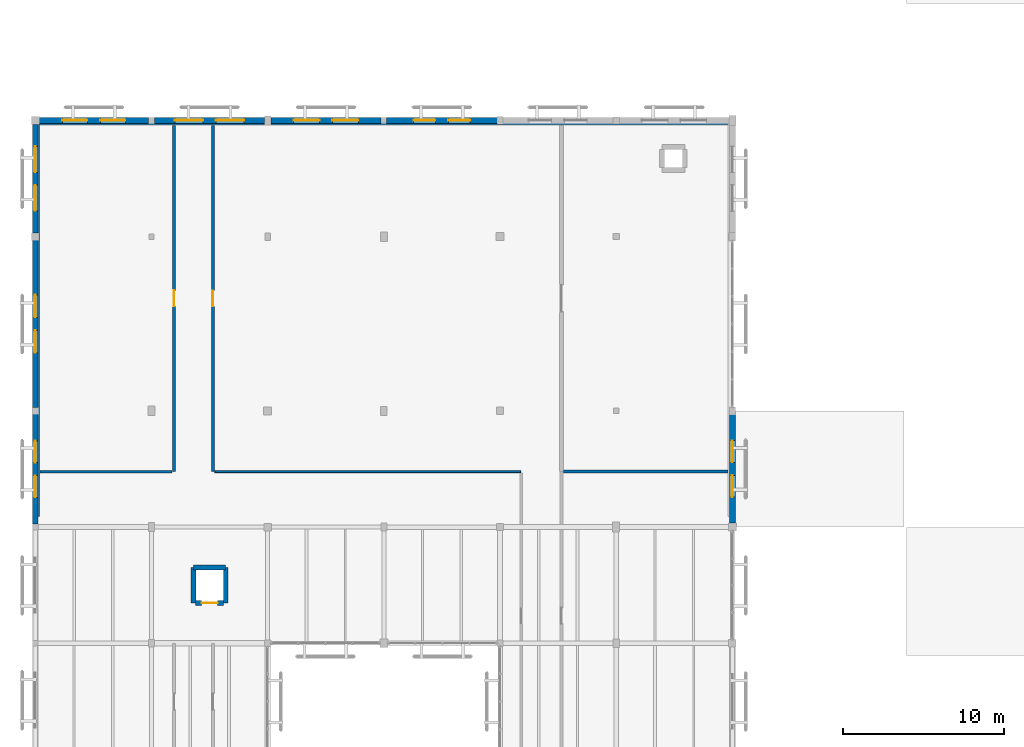
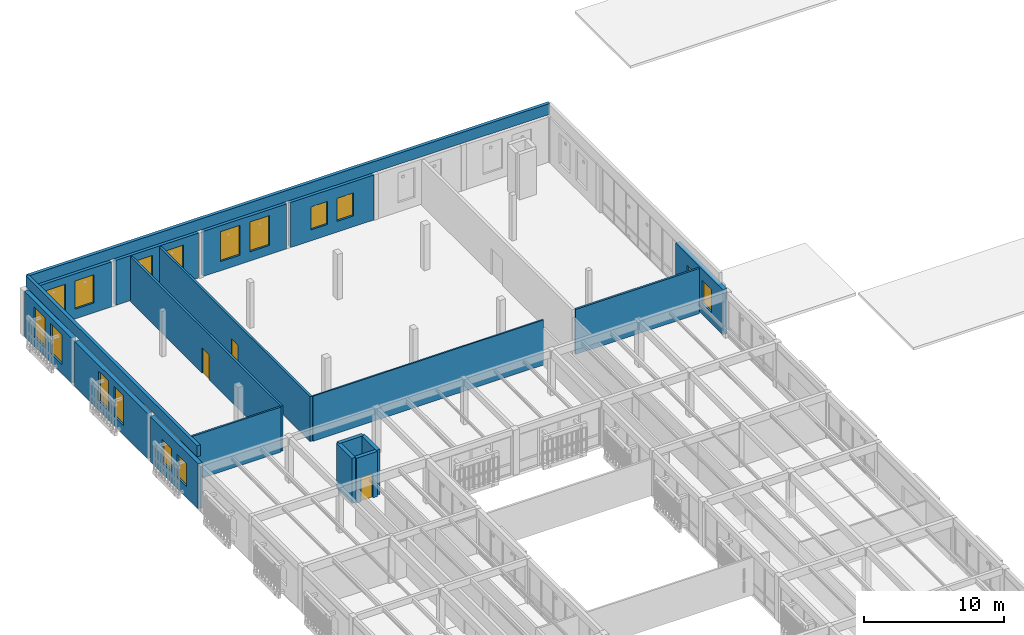
# One storey, part 84 of 112: 19 walls, 16 windows, 3 doors, 19 openings.
"""IFC4 building model written with IfcOpenShell, lengths in metres."""

from ifc_helpers import new_model, si_unit, direction, frame, frame_2d, origin, place, context, subcontext, project, spatial, rectangle, extrude, material, layer, layer_set, type_object, element, fill, save


model = new_model("IFC4")

# Units and contexts
model_context = context("Model", 3, precision=1e-05, world=origin(), true_north=direction((0.0, 1.0)))
body_context = subcontext(model_context, "Body", "Model", "MODEL_VIEW")
ifc_project = project(units=[si_unit("LENGTHUNIT", "METRE"), si_unit("AREAUNIT", "SQUARE_METRE"), si_unit("VOLUMEUNIT", "CUBIC_METRE"), si_unit("PLANEANGLEUNIT", "RADIAN"), si_unit("MASSUNIT", "GRAM", prefix="KILO")], contexts=[model_context])

# Site, building, storey
site_placement = place(None, origin())
site = spatial("IfcSite", under=ifc_project, at=site_placement, CompositionType="ELEMENT")
building_placement = place(site_placement, origin())
building = spatial("IfcBuilding", under=site, at=building_placement, Name="Mazaris Harbour Polytechnic", CompositionType="ELEMENT")
storey_placement = place(building_placement, frame((0.0, 0.0, 13.800048828125)))
storey = spatial("IfcBuildingStorey", under=building, at=storey_placement, Name="L03", CompositionType="ELEMENT", Elevation=13.800048828125)

# Walls
ifc_material_1 = material(Name="Gypsum Board and Mineral Wool")
ifc_layer_1 = layer(ifc_material_1, 0.1201171875, Name="Gypsum Board and Mineral Wool")
ifc_layer_set_1 = layer_set([ifc_layer_1], Name="Gypsum Board and Mineral Wool")
wall_type_1 = type_object("IfcWallType", Name="Acoustic Stud Partition 120", PredefinedType="PARTITIONING", material=ifc_layer_set_1)
wall_1_placement = place(storey_placement, frame((11.1201171875, 79.0400390625, 0.0), z_axis=(0.0, 0.0, 1.0), x_axis=(1.0, 0.0, 0.0)))
element("IfcWall", 1, at=wall_1_placement, inside=storey, type_object=wall_type_1, Name="V4 L03 Partition 425", PredefinedType="PARTITIONING", context=body_context, shape_type="SweptSolid", body=[
    extrude(rectangle(XDim=18.9599609375, YDim=0.1201171875, at=frame_2d((9.47998046875, 0.0))), origin(), (0.0, 0.0, 1.0), 3.919921875),
])
ifc_material_2 = material(Name="Double Gypsum and Mineral Wool")
ifc_layer_2 = layer(ifc_material_2, 0.14990234375, Name="Double Gypsum and Mineral Wool")
ifc_layer_set_2 = layer_set([ifc_layer_2], Name="Double Gypsum and Mineral Wool")
wall_type_2 = type_object("IfcWallType", Name="Classroom Acoustic Partition 150", PredefinedType="PARTITIONING", material=ifc_layer_set_2)
wall_2_placement = place(storey_placement, frame((0.282470703125, 79.0400390625, 0.0), z_axis=(0.0, 0.0, 1.0), x_axis=(1.0, 0.0, 0.0)))
element("IfcWall", 2, at=wall_2_placement, inside=storey, type_object=wall_type_2, Name="V4 L03 Partition 415", PredefinedType="PARTITIONING", context=body_context, shape_type="SweptSolid", body=[
    extrude(rectangle(XDim=8.197509765625, YDim=0.14990234375, at=frame_2d((4.0986328125, 0.0))), origin(), (0.0, 0.0, 1.0), 3.919921875),
])

# Wall, opening, door
ifc_material_3 = material(Name="Terracotta Block and Plaster", Category="masonry")
ifc_layer_3 = layer(ifc_material_3, 0.179931640625, Name="Terracotta Block and Plaster")
ifc_layer_set_3 = layer_set([ifc_layer_3], Name="Terracotta Block and Plaster")
wall_type_3 = type_object("IfcWallType", Name="Corridor Fire Partition 180", PredefinedType="PARTITIONING", material=ifc_layer_set_3)
wall_3_placement = place(storey_placement, frame((8.60009765625, 79.0400390625, 0.0), z_axis=(0.0, 0.0, 1.0), x_axis=(0.0, 1.0, 0.0)))
wall_3 = element("IfcWall", 3, at=wall_3_placement, inside=storey, type_object=wall_type_3, Name="V4 L03 Partition 416", PredefinedType="PARTITIONING", context=body_context, shape_type="SweptSolid", body=[
    extrude(rectangle(XDim=21.4619140625, YDim=0.179931640625, at=frame_2d((10.73095703125, 0.0))), origin(), (0.0, 0.0, 1.0), 3.919921875),
])
opening_1_placement = place(wall_3_placement, frame((10.236083984375, 0.0, 0.0)))
opening_1 = element("IfcOpeningElement", 4, at=opening_1_placement, cuts=wall_3, Name="Opening ID-08R", PredefinedType="OPENING", context=body_context, shape_type="SweptSolid", body=[
    extrude(rectangle(XDim=0.989990234375, YDim=2.179931640625, at=frame_2d((0.4951171875, 1.08984375))), frame((0.0, 0.099853515625, 0.0), z_axis=(0.0, -1.0, 0.0), x_axis=(1.0, 0.0, 0.0)), (0.0, 0.0, 1.0), 0.199951171875),
])
ifc_material_4 = material(Name="Solid Oak Timber", Category="wood")
door_type_1 = type_object("IfcDoorType", Name="Seminar Room Door RH 990x2180", OperationType="SINGLE_SWING_RIGHT", PredefinedType="DOOR", material=ifc_material_4)
door_1_placement = place(opening_1_placement, origin())
door_1 = element("IfcDoor", 5, at=door_1_placement, inside=storey, type_object=door_type_1, Name="ID-0196", OperationType="SINGLE_SWING_RIGHT", OverallHeight=2.179931640625, OverallWidth=0.989990234375, PredefinedType="DOOR", context=body_context, shape_type="SweptSolid", body=[
    extrude(rectangle(XDim=0.989990234375, YDim=2.179931640625, at=frame_2d((0.4951171875, 1.08984375))), frame((0.0, 0.02490234375, 0.0), z_axis=(0.0, -1.0, 0.0), x_axis=(1.0, 0.0, 0.0)), (0.0, 0.0, 1.0), 0.050048828125),
])
fill(opening_1, door_1)

wall_4_placement = place(storey_placement, frame((11.0, 79.0400390625, 0.0), z_axis=(0.0, 0.0, 1.0), x_axis=(0.0, 1.0, 0.0)))
wall_4 = element("IfcWall", 6, at=wall_4_placement, inside=storey, type_object=wall_type_3, Name="V4 L03 Partition 426", PredefinedType="PARTITIONING", context=body_context, shape_type="SweptSolid", body=[
    extrude(rectangle(XDim=21.4619140625, YDim=0.179931640625, at=frame_2d((10.73095703125, 0.0))), origin(), (0.0, 0.0, 1.0), 3.919921875),
])
opening_2_placement = place(wall_4_placement, frame((10.240966796875, 0.0, 0.0)))
opening_2 = element("IfcOpeningElement", 7, at=opening_2_placement, cuts=wall_4, Name="Opening ID-08L", PredefinedType="OPENING", context=body_context, shape_type="SweptSolid", body=[
    extrude(rectangle(XDim=0.97998046875, YDim=2.179931640625, at=frame_2d((0.489990234375, 1.08984375))), frame((0.0, 0.099853515625, 0.0), z_axis=(0.0, -1.0, 0.0), x_axis=(1.0, 0.0, 0.0)), (0.0, 0.0, 1.0), 0.199951171875),
])
ifc_material_5 = material(Name="Solid Oak Timber", Category="wood")
door_type_2 = type_object("IfcDoorType", Name="Seminar Room Door LH 980x2180", OperationType="SINGLE_SWING_LEFT", PredefinedType="DOOR", material=ifc_material_5)
door_2_placement = place(opening_2_placement, origin())
door_2 = element("IfcDoor", 8, at=door_2_placement, inside=storey, type_object=door_type_2, Name="ID-0201", OperationType="SINGLE_SWING_LEFT", OverallHeight=2.179931640625, OverallWidth=0.97998046875, PredefinedType="DOOR", context=body_context, shape_type="SweptSolid", body=[
    extrude(rectangle(XDim=0.97998046875, YDim=2.179931640625, at=frame_2d((0.489990234375, 1.08984375))), frame((0.0, 0.02490234375, 0.0), z_axis=(0.0, -1.0, 0.0), x_axis=(1.0, 0.0, 0.0)), (0.0, 0.0, 1.0), 0.050048828125),
])
fill(opening_2, door_2)

# Wall
ifc_material_6 = material(Name="Fireboard and Mineral Wool")
ifc_layer_4 = layer(ifc_material_6, 0.1650390625, Name="Fireboard and Mineral Wool")
ifc_layer_set_4 = layer_set([ifc_layer_4], Name="Fireboard and Mineral Wool")
wall_type_4 = type_object("IfcWallType", Name="Laboratory Rated Partition 165", PredefinedType="PARTITIONING", material=ifc_layer_set_4)
wall_5_placement = place(storey_placement, frame((32.719970703125, 79.0400390625, 0.0), z_axis=(0.0, 0.0, 1.0), x_axis=(1.0, 0.0, 0.0)))
element("IfcWall", 9, at=wall_5_placement, inside=storey, type_object=wall_type_4, Name="V4 L03 Partition 433", PredefinedType="PARTITIONING", context=body_context, shape_type="SweptSolid", body=[
    extrude(rectangle(XDim=10.197509765625, YDim=0.1650390625, at=frame_2d((5.0986328125, 0.0))), origin(), (0.0, 0.0, 1.0), 3.919921875),
])

# Wall, openings, windows
ifc_material_7 = material(Name="Algerian Buff Limestone and Concrete C30/37", Category="masonry")
ifc_layer_5 = layer(ifc_material_7, 0.360107421875, Name="Algerian Buff Limestone and Concrete C30/37")
ifc_layer_set_5 = layer_set([ifc_layer_5], Name="Algerian Buff Limestone and Concrete C30/37")
wall_type_5 = type_object("IfcWallType", Name="Limestone Ashlar Exterior Wall 360", PredefinedType="STANDARD", material=ifc_layer_set_5)
wall_6_placement = place(storey_placement, frame((0.241943359375, 100.800048828125, 0.0), z_axis=(0.0, 0.0, 1.0), x_axis=(1.0, 0.0, 0.0)))
wall_6 = element("IfcWall", 10, at=wall_6_placement, inside=storey, type_object=wall_type_5, Name="V4 L03 Exterior Wall 222", PredefinedType="STANDARD", context=body_context, shape_type="SweptSolid", body=[
    extrude(rectangle(XDim=6.776123046875, YDim=0.360107421875, at=frame_2d((3.38818359375, 0.0))), origin(), (0.0, 0.0, 1.0), 3.919921875),
])
opening_3_placement = place(wall_6_placement, frame((1.43798828125, 0.0, 0.85009765625)))
opening_3 = element("IfcOpeningElement", 11, at=opening_3_placement, cuts=wall_6, Name="Opening WN-26", PredefinedType="OPENING", context=body_context, shape_type="SweptSolid", body=[
    extrude(rectangle(XDim=1.550048828125, YDim=2.449951171875, at=frame_2d((0.77490234375, 1.22509765625))), frame((0.0, 0.18994140625, 0.0), z_axis=(0.0, -1.0, 0.0), x_axis=(1.0, 0.0, 0.0)), (0.0, 0.0, 1.0), 0.380126953125),
])
opening_4_placement = place(wall_6_placement, frame((3.7880859375, 0.0, 0.85009765625)))
opening_4 = element("IfcOpeningElement", 12, at=opening_4_placement, cuts=wall_6, Name="Opening WN-26", PredefinedType="OPENING", context=body_context, shape_type="SweptSolid", body=[
    extrude(rectangle(XDim=1.550048828125, YDim=2.449951171875, at=frame_2d((0.77490234375, 1.22509765625))), frame((0.0, 0.18994140625, 0.0), z_axis=(0.0, -1.0, 0.0), x_axis=(1.0, 0.0, 0.0)), (0.0, 0.0, 1.0), 0.380126953125),
])
ifc_material_8 = material(Name="Thermally Broken Bronze Aluminium and Low-E Glass", Category="aluminium")
window_type_1 = type_object("IfcWindowType", Name="Studio Tall Casement 1550x2450", PartitioningType="DOUBLE_PANEL_VERTICAL", PredefinedType="WINDOW", material=ifc_material_8)
window_1_placement = place(opening_3_placement, origin())
window_1 = element("IfcWindow", 13, at=window_1_placement, inside=storey, type_object=window_type_1, Name="WN-0225", OverallHeight=2.449951171875, OverallWidth=1.550048828125, PartitioningType="DOUBLE_PANEL_VERTICAL", PredefinedType="WINDOW", context=body_context, shape_type="SweptSolid", body=[
    extrude(rectangle(XDim=1.550048828125, YDim=2.449951171875, at=frame_2d((0.77490234375, 1.22509765625))), frame((0.0, 0.030029296875, 0.0), z_axis=(0.0, -1.0, 0.0), x_axis=(1.0, 0.0, 0.0)), (0.0, 0.0, 1.0), 0.06005859375),
])
fill(opening_3, window_1)
window_2_placement = place(opening_4_placement, origin())
window_2 = element("IfcWindow", 14, at=window_2_placement, inside=storey, type_object=window_type_1, Name="WN-0226", OverallHeight=2.449951171875, OverallWidth=1.550048828125, PartitioningType="DOUBLE_PANEL_VERTICAL", PredefinedType="WINDOW", context=body_context, shape_type="SweptSolid", body=[
    extrude(rectangle(XDim=1.550048828125, YDim=2.449951171875, at=frame_2d((0.77490234375, 1.22509765625))), frame((0.0, 0.030029296875, 0.0), z_axis=(0.0, -1.0, 0.0), x_axis=(1.0, 0.0, 0.0)), (0.0, 0.0, 1.0), 0.06005859375),
])
fill(opening_4, window_2)

wall_7_placement = place(storey_placement, frame((7.382080078125, 100.800048828125, 0.0), z_axis=(0.0, 0.0, 1.0), x_axis=(1.0, 0.0, 0.0)))
wall_7 = element("IfcWall", 15, at=wall_7_placement, inside=storey, type_object=wall_type_5, Name="V4 L03 Exterior Wall 223", PredefinedType="STANDARD", context=body_context, shape_type="SweptSolid", body=[
    extrude(rectangle(XDim=6.825927734375, YDim=0.360107421875, at=frame_2d((3.4130859375, 0.0))), origin(), (0.0, 0.0, 1.0), 3.919921875),
])
opening_5_placement = place(wall_7_placement, frame((1.262939453125, 0.0, 0.85009765625)))
opening_5 = element("IfcOpeningElement", 16, at=opening_5_placement, cuts=wall_7, Name="Opening WN-27", PredefinedType="OPENING", context=body_context, shape_type="SweptSolid", body=[
    extrude(rectangle(XDim=1.75, YDim=2.449951171875, at=frame_2d((0.875, 1.22509765625))), frame((0.0, 0.18994140625, 0.0), z_axis=(0.0, -1.0, 0.0), x_axis=(1.0, 0.0, 0.0)), (0.0, 0.0, 1.0), 0.380126953125),
])
opening_6_placement = place(wall_7_placement, frame((3.81298828125, 0.0, 0.85009765625)))
opening_6 = element("IfcOpeningElement", 17, at=opening_6_placement, cuts=wall_7, Name="Opening WN-27", PredefinedType="OPENING", context=body_context, shape_type="SweptSolid", body=[
    extrude(rectangle(XDim=1.75, YDim=2.449951171875, at=frame_2d((0.875, 1.22509765625))), frame((0.0, 0.18994140625, 0.0), z_axis=(0.0, -1.0, 0.0), x_axis=(1.0, 0.0, 0.0)), (0.0, 0.0, 1.0), 0.380126953125),
])
ifc_material_9 = material(Name="Thermally Broken Bronze Aluminium and Low-E Glass", Category="aluminium")
window_type_2 = type_object("IfcWindowType", Name="Studio Tall Casement 1750x2450", PartitioningType="DOUBLE_PANEL_VERTICAL", PredefinedType="WINDOW", material=ifc_material_9)
window_3_placement = place(opening_5_placement, origin())
window_3 = element("IfcWindow", 18, at=window_3_placement, inside=storey, type_object=window_type_2, Name="WN-0227", OverallHeight=2.449951171875, OverallWidth=1.75, PartitioningType="DOUBLE_PANEL_VERTICAL", PredefinedType="WINDOW", context=body_context, shape_type="SweptSolid", body=[
    extrude(rectangle(XDim=1.75, YDim=2.449951171875, at=frame_2d((0.875, 1.22509765625))), frame((0.0, 0.030029296875, 0.0), z_axis=(0.0, -1.0, 0.0), x_axis=(1.0, 0.0, 0.0)), (0.0, 0.0, 1.0), 0.06005859375),
])
fill(opening_5, window_3)
window_4_placement = place(opening_6_placement, origin())
window_4 = element("IfcWindow", 19, at=window_4_placement, inside=storey, type_object=window_type_2, Name="WN-0228", OverallHeight=2.449951171875, OverallWidth=1.75, PartitioningType="DOUBLE_PANEL_VERTICAL", PredefinedType="WINDOW", context=body_context, shape_type="SweptSolid", body=[
    extrude(rectangle(XDim=1.75, YDim=2.449951171875, at=frame_2d((0.875, 1.22509765625))), frame((0.0, 0.030029296875, 0.0), z_axis=(0.0, -1.0, 0.0), x_axis=(1.0, 0.0, 0.0)), (0.0, 0.0, 1.0), 0.06005859375),
])
fill(opening_6, window_4)

wall_8_placement = place(storey_placement, frame((14.592041015625, 100.800048828125, 0.0), z_axis=(0.0, 0.0, 1.0), x_axis=(1.0, 0.0, 0.0)))
wall_8 = element("IfcWall", 20, at=wall_8_placement, inside=storey, type_object=wall_type_5, Name="V4 L03 Exterior Wall 224", PredefinedType="STANDARD", context=body_context, shape_type="SweptSolid", body=[
    extrude(rectangle(XDim=6.845947265625, YDim=0.360107421875, at=frame_2d((3.4228515625, 0.0))), origin(), (0.0, 0.0, 1.0), 3.919921875),
])
opening_7_placement = place(wall_8_placement, frame((1.423095703125, 0.0, 0.800048828125)))
opening_7 = element("IfcOpeningElement", 21, at=opening_7_placement, cuts=wall_8, Name="Opening WN-02", PredefinedType="OPENING", context=body_context, shape_type="SweptSolid", body=[
    extrude(rectangle(XDim=1.60009765625, YDim=2.60009765625, at=frame_2d((0.800048828125, 1.300048828125))), frame((0.0, 0.18994140625, 0.0), z_axis=(0.0, -1.0, 0.0), x_axis=(1.0, 0.0, 0.0)), (0.0, 0.0, 1.0), 0.380126953125),
])
opening_8_placement = place(wall_8_placement, frame((3.822998046875, 0.0, 0.800048828125)))
opening_8 = element("IfcOpeningElement", 22, at=opening_8_placement, cuts=wall_8, Name="Opening WN-02", PredefinedType="OPENING", context=body_context, shape_type="SweptSolid", body=[
    extrude(rectangle(XDim=1.60009765625, YDim=2.60009765625, at=frame_2d((0.800048828125, 1.300048828125))), frame((0.0, 0.18994140625, 0.0), z_axis=(0.0, -1.0, 0.0), x_axis=(1.0, 0.0, 0.0)), (0.0, 0.0, 1.0), 0.380126953125),
])
ifc_material_10 = material(Name="Thermally Broken Bronze Aluminium and Low-E Glass", Category="aluminium")
window_type_3 = type_object("IfcWindowType", Name="Neoclassical Tall Window 1600x2600", PartitioningType="DOUBLE_PANEL_VERTICAL", PredefinedType="WINDOW", material=ifc_material_10)
window_5_placement = place(opening_7_placement, origin())
window_5 = element("IfcWindow", 23, at=window_5_placement, inside=storey, type_object=window_type_3, Name="WN-0229", OverallHeight=2.60009765625, OverallWidth=1.60009765625, PartitioningType="DOUBLE_PANEL_VERTICAL", PredefinedType="WINDOW", context=body_context, shape_type="SweptSolid", body=[
    extrude(rectangle(XDim=1.60009765625, YDim=2.60009765625, at=frame_2d((0.800048828125, 1.300048828125))), frame((0.0, 0.030029296875, 0.0), z_axis=(0.0, -1.0, 0.0), x_axis=(1.0, 0.0, 0.0)), (0.0, 0.0, 1.0), 0.06005859375),
])
fill(opening_7, window_5)
window_6_placement = place(opening_8_placement, origin())
window_6 = element("IfcWindow", 24, at=window_6_placement, inside=storey, type_object=window_type_3, Name="WN-0230", OverallHeight=2.60009765625, OverallWidth=1.60009765625, PartitioningType="DOUBLE_PANEL_VERTICAL", PredefinedType="WINDOW", context=body_context, shape_type="SweptSolid", body=[
    extrude(rectangle(XDim=1.60009765625, YDim=2.60009765625, at=frame_2d((0.800048828125, 1.300048828125))), frame((0.0, 0.030029296875, 0.0), z_axis=(0.0, -1.0, 0.0), x_axis=(1.0, 0.0, 0.0)), (0.0, 0.0, 1.0), 0.06005859375),
])
fill(opening_8, window_6)

wall_9_placement = place(storey_placement, frame((21.761962890625, 100.800048828125, 0.0), z_axis=(0.0, 0.0, 1.0), x_axis=(1.0, 0.0, 0.0)))
wall_9 = element("IfcWall", 25, at=wall_9_placement, inside=storey, type_object=wall_type_5, Name="V4 L03 Exterior Wall 225", PredefinedType="STANDARD", context=body_context, shape_type="SweptSolid", body=[
    extrude(rectangle(XDim=6.865966796875, YDim=0.360107421875, at=frame_2d((3.43310546875, 0.0))), origin(), (0.0, 0.0, 1.0), 3.919921875),
])
opening_9_placement = place(wall_9_placement, frame((1.68310546875, 0.0, 0.949951171875)))
opening_9 = element("IfcOpeningElement", 26, at=opening_9_placement, cuts=wall_9, Name="Opening WN-30", PredefinedType="OPENING", context=body_context, shape_type="SweptSolid", body=[
    extrude(rectangle(XDim=1.35009765625, YDim=2.0, at=frame_2d((0.675048828125, 1.0))), frame((0.0, 0.18994140625, 0.0), z_axis=(0.0, -1.0, 0.0), x_axis=(1.0, 0.0, 0.0)), (0.0, 0.0, 1.0), 0.380126953125),
])
opening_10_placement = place(wall_9_placement, frame((3.8330078125, 0.0, 0.949951171875)))
opening_10 = element("IfcOpeningElement", 27, at=opening_10_placement, cuts=wall_9, Name="Opening WN-30", PredefinedType="OPENING", context=body_context, shape_type="SweptSolid", body=[
    extrude(rectangle(XDim=1.35009765625, YDim=2.0, at=frame_2d((0.675048828125, 1.0))), frame((0.0, 0.18994140625, 0.0), z_axis=(0.0, -1.0, 0.0), x_axis=(1.0, 0.0, 0.0)), (0.0, 0.0, 1.0), 0.380126953125),
])
ifc_material_11 = material(Name="Thermally Broken Bronze Aluminium and Low-E Glass", Category="aluminium")
window_type_4 = type_object("IfcWindowType", Name="Pavilion Side Window 1350x2000", PartitioningType="DOUBLE_PANEL_VERTICAL", PredefinedType="WINDOW", material=ifc_material_11)
window_7_placement = place(opening_9_placement, origin())
window_7 = element("IfcWindow", 28, at=window_7_placement, inside=storey, type_object=window_type_4, Name="WN-0231", OverallHeight=2.0, OverallWidth=1.35009765625, PartitioningType="DOUBLE_PANEL_VERTICAL", PredefinedType="WINDOW", context=body_context, shape_type="SweptSolid", body=[
    extrude(rectangle(XDim=1.35009765625, YDim=2.0, at=frame_2d((0.675048828125, 1.0))), frame((0.0, 0.030029296875, 0.0), z_axis=(0.0, -1.0, 0.0), x_axis=(1.0, 0.0, 0.0)), (0.0, 0.0, 1.0), 0.06005859375),
])
fill(opening_9, window_7)
window_8_placement = place(opening_10_placement, origin())
window_8 = element("IfcWindow", 29, at=window_8_placement, inside=storey, type_object=window_type_4, Name="WN-0232", OverallHeight=2.0, OverallWidth=1.35009765625, PartitioningType="DOUBLE_PANEL_VERTICAL", PredefinedType="WINDOW", context=body_context, shape_type="SweptSolid", body=[
    extrude(rectangle(XDim=1.35009765625, YDim=2.0, at=frame_2d((0.675048828125, 1.0))), frame((0.0, 0.030029296875, 0.0), z_axis=(0.0, -1.0, 0.0), x_axis=(1.0, 0.0, 0.0)), (0.0, 0.0, 1.0), 0.06005859375),
])
fill(opening_10, window_8)

wall_10_placement = place(storey_placement, frame((0.0, 75.781982421875, 0.0), z_axis=(0.0, 0.0, 1.0), x_axis=(0.0, 1.0, 0.0)))
wall_10 = element("IfcWall", 30, at=wall_10_placement, inside=storey, type_object=wall_type_5, Name="V4 L03 Exterior Wall 237", PredefinedType="STANDARD", context=body_context, shape_type="SweptSolid", body=[
    extrude(rectangle(XDim=6.81591796875, YDim=0.360107421875, at=frame_2d((3.407958984375, 0.0))), origin(), (0.0, 0.0, 1.0), 3.919921875),
])
opening_11_placement = place(wall_10_placement, frame((1.657958984375, 0.0, 0.949951171875)))
opening_11 = element("IfcOpeningElement", 31, at=opening_11_placement, cuts=wall_10, Name="Opening WN-30", PredefinedType="OPENING", context=body_context, shape_type="SweptSolid", body=[
    extrude(rectangle(XDim=1.35009765625, YDim=2.0, at=frame_2d((0.675048828125, 1.0))), frame((0.0, 0.18994140625, 0.0), z_axis=(0.0, -1.0, 0.0), x_axis=(1.0, 0.0, 0.0)), (0.0, 0.0, 1.0), 0.380126953125),
])
opening_12_placement = place(wall_10_placement, frame((3.80810546875, 0.0, 0.949951171875)))
opening_12 = element("IfcOpeningElement", 32, at=opening_12_placement, cuts=wall_10, Name="Opening WN-30", PredefinedType="OPENING", context=body_context, shape_type="SweptSolid", body=[
    extrude(rectangle(XDim=1.35009765625, YDim=2.0, at=frame_2d((0.675048828125, 1.0))), frame((0.0, 0.18994140625, 0.0), z_axis=(0.0, -1.0, 0.0), x_axis=(1.0, 0.0, 0.0)), (0.0, 0.0, 1.0), 0.380126953125),
])
window_9_placement = place(opening_11_placement, origin())
window_9 = element("IfcWindow", 33, at=window_9_placement, inside=storey, type_object=window_type_4, Name="WN-0247", OverallHeight=2.0, OverallWidth=1.35009765625, PartitioningType="DOUBLE_PANEL_VERTICAL", PredefinedType="WINDOW", context=body_context, shape_type="SweptSolid", body=[
    extrude(rectangle(XDim=1.35009765625, YDim=2.0, at=frame_2d((0.675048828125, 1.0))), frame((0.0, 0.030029296875, 0.0), z_axis=(0.0, -1.0, 0.0), x_axis=(1.0, 0.0, 0.0)), (0.0, 0.0, 1.0), 0.06005859375),
])
fill(opening_11, window_9)
window_10_placement = place(opening_12_placement, origin())
window_10 = element("IfcWindow", 34, at=window_10_placement, inside=storey, type_object=window_type_4, Name="WN-0248", OverallHeight=2.0, OverallWidth=1.35009765625, PartitioningType="DOUBLE_PANEL_VERTICAL", PredefinedType="WINDOW", context=body_context, shape_type="SweptSolid", body=[
    extrude(rectangle(XDim=1.35009765625, YDim=2.0, at=frame_2d((0.675048828125, 1.0))), frame((0.0, 0.030029296875, 0.0), z_axis=(0.0, -1.0, 0.0), x_axis=(1.0, 0.0, 0.0)), (0.0, 0.0, 1.0), 0.06005859375),
])
fill(opening_12, window_10)

wall_11_placement = place(storey_placement, frame((0.0, 83.001953125, 0.0), z_axis=(0.0, 0.0, 1.0), x_axis=(0.0, 1.0, 0.0)))
wall_11 = element("IfcWall", 35, at=wall_11_placement, inside=storey, type_object=wall_type_5, Name="V4 L03 Exterior Wall 238", PredefinedType="STANDARD", context=body_context, shape_type="SweptSolid", body=[
    extrude(rectangle(XDim=10.3759765625, YDim=0.360107421875, at=frame_2d((5.18798828125, 0.0))), origin(), (0.0, 0.0, 1.0), 3.919921875),
])
opening_13_placement = place(wall_11_placement, frame((3.387939453125, 0.0, 0.800048828125)))
opening_13 = element("IfcOpeningElement", 36, at=opening_13_placement, cuts=wall_11, Name="Opening WN-01", PredefinedType="OPENING", context=body_context, shape_type="SweptSolid", body=[
    extrude(rectangle(XDim=1.39990234375, YDim=2.60009765625, at=frame_2d((0.699951171875, 1.300048828125))), frame((0.0, 0.18994140625, 0.0), z_axis=(0.0, -1.0, 0.0), x_axis=(1.0, 0.0, 0.0)), (0.0, 0.0, 1.0), 0.380126953125),
])
opening_14_placement = place(wall_11_placement, frame((5.587890625, 0.0, 0.800048828125)))
opening_14 = element("IfcOpeningElement", 37, at=opening_14_placement, cuts=wall_11, Name="Opening WN-01", PredefinedType="OPENING", context=body_context, shape_type="SweptSolid", body=[
    extrude(rectangle(XDim=1.39990234375, YDim=2.60009765625, at=frame_2d((0.699951171875, 1.300048828125))), frame((0.0, 0.18994140625, 0.0), z_axis=(0.0, -1.0, 0.0), x_axis=(1.0, 0.0, 0.0)), (0.0, 0.0, 1.0), 0.380126953125),
])
ifc_material_12 = material(Name="Thermally Broken Bronze Aluminium and Low-E Glass", Category="aluminium")
window_type_5 = type_object("IfcWindowType", Name="Neoclassical Tall Window 1400x2600", PartitioningType="DOUBLE_PANEL_VERTICAL", PredefinedType="WINDOW", material=ifc_material_12)
window_11_placement = place(opening_13_placement, origin())
window_11 = element("IfcWindow", 38, at=window_11_placement, inside=storey, type_object=window_type_5, Name="WN-0249", OverallHeight=2.60009765625, OverallWidth=1.39990234375, PartitioningType="DOUBLE_PANEL_VERTICAL", PredefinedType="WINDOW", context=body_context, shape_type="SweptSolid", body=[
    extrude(rectangle(XDim=1.39990234375, YDim=2.60009765625, at=frame_2d((0.699951171875, 1.300048828125))), frame((0.0, 0.030029296875, 0.0), z_axis=(0.0, -1.0, 0.0), x_axis=(1.0, 0.0, 0.0)), (0.0, 0.0, 1.0), 0.06005859375),
])
fill(opening_13, window_11)
window_12_placement = place(opening_14_placement, origin())
window_12 = element("IfcWindow", 39, at=window_12_placement, inside=storey, type_object=window_type_5, Name="WN-0250", OverallHeight=2.60009765625, OverallWidth=1.39990234375, PartitioningType="DOUBLE_PANEL_VERTICAL", PredefinedType="WINDOW", context=body_context, shape_type="SweptSolid", body=[
    extrude(rectangle(XDim=1.39990234375, YDim=2.60009765625, at=frame_2d((0.699951171875, 1.300048828125))), frame((0.0, 0.030029296875, 0.0), z_axis=(0.0, -1.0, 0.0), x_axis=(1.0, 0.0, 0.0)), (0.0, 0.0, 1.0), 0.06005859375),
])
fill(opening_14, window_12)

wall_12_placement = place(storey_placement, frame((0.0, 93.822021484375, 0.0), z_axis=(0.0, 0.0, 1.0), x_axis=(0.0, 1.0, 0.0)))
wall_12 = element("IfcWall", 40, at=wall_12_placement, inside=storey, type_object=wall_type_5, Name="V4 L03 Exterior Wall 239", PredefinedType="STANDARD", context=body_context, shape_type="SweptSolid", body=[
    extrude(rectangle(XDim=6.736083984375, YDim=0.360107421875, at=frame_2d((3.3681640625, 0.0))), origin(), (0.0, 0.0, 1.0), 3.919921875),
])
opening_15_placement = place(wall_12_placement, frame((1.367919921875, 0.0, 0.800048828125)))
opening_15 = element("IfcOpeningElement", 41, at=opening_15_placement, cuts=wall_12, Name="Opening WN-02", PredefinedType="OPENING", context=body_context, shape_type="SweptSolid", body=[
    extrude(rectangle(XDim=1.60009765625, YDim=2.60009765625, at=frame_2d((0.800048828125, 1.300048828125))), frame((0.0, 0.18994140625, 0.0), z_axis=(0.0, -1.0, 0.0), x_axis=(1.0, 0.0, 0.0)), (0.0, 0.0, 1.0), 0.380126953125),
])
opening_16_placement = place(wall_12_placement, frame((3.76806640625, 0.0, 0.800048828125)))
opening_16 = element("IfcOpeningElement", 42, at=opening_16_placement, cuts=wall_12, Name="Opening WN-02", PredefinedType="OPENING", context=body_context, shape_type="SweptSolid", body=[
    extrude(rectangle(XDim=1.60009765625, YDim=2.60009765625, at=frame_2d((0.800048828125, 1.300048828125))), frame((0.0, 0.18994140625, 0.0), z_axis=(0.0, -1.0, 0.0), x_axis=(1.0, 0.0, 0.0)), (0.0, 0.0, 1.0), 0.380126953125),
])
window_13_placement = place(opening_15_placement, origin())
window_13 = element("IfcWindow", 43, at=window_13_placement, inside=storey, type_object=window_type_3, Name="WN-0251", OverallHeight=2.60009765625, OverallWidth=1.60009765625, PartitioningType="DOUBLE_PANEL_VERTICAL", PredefinedType="WINDOW", context=body_context, shape_type="SweptSolid", body=[
    extrude(rectangle(XDim=1.60009765625, YDim=2.60009765625, at=frame_2d((0.800048828125, 1.300048828125))), frame((0.0, 0.030029296875, 0.0), z_axis=(0.0, -1.0, 0.0), x_axis=(1.0, 0.0, 0.0)), (0.0, 0.0, 1.0), 0.06005859375),
])
fill(opening_15, window_13)
window_14_placement = place(opening_16_placement, origin())
window_14 = element("IfcWindow", 44, at=window_14_placement, inside=storey, type_object=window_type_3, Name="WN-0252", OverallHeight=2.60009765625, OverallWidth=1.60009765625, PartitioningType="DOUBLE_PANEL_VERTICAL", PredefinedType="WINDOW", context=body_context, shape_type="SweptSolid", body=[
    extrude(rectangle(XDim=1.60009765625, YDim=2.60009765625, at=frame_2d((0.800048828125, 1.300048828125))), frame((0.0, 0.030029296875, 0.0), z_axis=(0.0, -1.0, 0.0), x_axis=(1.0, 0.0, 0.0)), (0.0, 0.0, 1.0), 0.06005859375),
])
fill(opening_16, window_14)

wall_13_placement = place(storey_placement, frame((43.199951171875, 82.568115234375, 0.0), z_axis=(0.0, 0.0, 1.0), x_axis=(0.0, -1.0, 0.0)))
wall_13 = element("IfcWall", 45, at=wall_13_placement, inside=storey, type_object=wall_type_5, Name="V4 L03 Exterior Wall 244", PredefinedType="STANDARD", context=body_context, shape_type="SweptSolid", body=[
    extrude(rectangle(XDim=6.72607421875, YDim=0.360107421875, at=frame_2d((3.363037109375, 0.0))), origin(), (0.0, 0.0, 1.0), 3.919921875),
])
opening_17_placement = place(wall_13_placement, frame((1.613037109375, 0.0, 0.949951171875)))
opening_17 = element("IfcOpeningElement", 46, at=opening_17_placement, cuts=wall_13, Name="Opening WN-30", PredefinedType="OPENING", context=body_context, shape_type="SweptSolid", body=[
    extrude(rectangle(XDim=1.35009765625, YDim=2.0, at=frame_2d((0.675048828125, 1.0))), frame((0.0, 0.18994140625, 0.0), z_axis=(0.0, -1.0, 0.0), x_axis=(1.0, 0.0, 0.0)), (0.0, 0.0, 1.0), 0.380126953125),
])
opening_18_placement = place(wall_13_placement, frame((3.762939453125, 0.0, 0.949951171875)))
opening_18 = element("IfcOpeningElement", 47, at=opening_18_placement, cuts=wall_13, Name="Opening WN-30", PredefinedType="OPENING", context=body_context, shape_type="SweptSolid", body=[
    extrude(rectangle(XDim=1.35009765625, YDim=2.0, at=frame_2d((0.675048828125, 1.0))), frame((0.0, 0.18994140625, 0.0), z_axis=(0.0, -1.0, 0.0), x_axis=(1.0, 0.0, 0.0)), (0.0, 0.0, 1.0), 0.380126953125),
])
window_15_placement = place(opening_17_placement, origin())
window_15 = element("IfcWindow", 48, at=window_15_placement, inside=storey, type_object=window_type_4, Name="WN-0258", OverallHeight=2.0, OverallWidth=1.35009765625, PartitioningType="DOUBLE_PANEL_VERTICAL", PredefinedType="WINDOW", context=body_context, shape_type="SweptSolid", body=[
    extrude(rectangle(XDim=1.35009765625, YDim=2.0, at=frame_2d((0.675048828125, 1.0))), frame((0.0, 0.030029296875, 0.0), z_axis=(0.0, -1.0, 0.0), x_axis=(1.0, 0.0, 0.0)), (0.0, 0.0, 1.0), 0.06005859375),
])
fill(opening_17, window_15)
window_16_placement = place(opening_18_placement, origin())
window_16 = element("IfcWindow", 49, at=window_16_placement, inside=storey, type_object=window_type_4, Name="WN-0259", OverallHeight=2.0, OverallWidth=1.35009765625, PartitioningType="DOUBLE_PANEL_VERTICAL", PredefinedType="WINDOW", context=body_context, shape_type="SweptSolid", body=[
    extrude(rectangle(XDim=1.35009765625, YDim=2.0, at=frame_2d((0.675048828125, 1.0))), frame((0.0, 0.030029296875, 0.0), z_axis=(0.0, -1.0, 0.0), x_axis=(1.0, 0.0, 0.0)), (0.0, 0.0, 1.0), 0.06005859375),
])
fill(opening_18, window_16)

# Walls
ifc_material_13 = material(Name="Algerian Buff Limestone", Category="masonry")
ifc_layer_6 = layer(ifc_material_13, 0.264892578125, Name="Algerian Buff Limestone")
ifc_layer_set_6 = layer_set([ifc_layer_6], Name="Algerian Buff Limestone")
wall_type_6 = type_object("IfcWallType", Name="Limestone Attic Parapet 265", PredefinedType="PARAPET", material=ifc_layer_set_6)
wall_14_placement = place(storey_placement, frame((43.06005859375, 100.659912109375, 4.199951171875), z_axis=(0.0, 0.0, 1.0), x_axis=(-1.0, 0.0, 0.0)))
element("IfcWall", 50, at=wall_14_placement, inside=storey, type_object=wall_type_6, Name="L03 Roof Cornice Parapet 5", PredefinedType="PARAPET", context=body_context, shape_type="SweptSolid", body=[
    extrude(rectangle(XDim=42.920166015625, YDim=0.264892578125, at=frame_2d((21.4599609375, 0.0))), origin(), (0.0, 0.0, 1.0), 0.949951171875),
])
wall_15_placement = place(storey_placement, frame((0.139892578125, 100.659912109375, 4.199951171875), z_axis=(0.0, 0.0, 1.0), x_axis=(0.0, -1.0, 0.0)))
element("IfcWall", 51, at=wall_15_placement, inside=storey, type_object=wall_type_6, Name="L03 Roof Cornice Parapet 6", PredefinedType="PARAPET", context=body_context, shape_type="SweptSolid", body=[
    extrude(rectangle(XDim=24.409912109375, YDim=0.264892578125, at=frame_2d((12.205078125, 0.0))), origin(), (0.0, 0.0, 1.0), 0.949951171875),
])
ifc_material_14 = material(Name="Concrete C40/50", Category="concrete")
ifc_layer_7 = layer(ifc_material_14, 0.300048828125, Name="Concrete C40/50")
ifc_layer_set_7 = layer_set([ifc_layer_7], Name="Concrete C40/50")
wall_type_7 = type_object("IfcWallType", Name="RC Lift Shaft Wall 300", PredefinedType="SHEAR", material=ifc_layer_set_7)
wall_16_placement = place(storey_placement, frame((11.800048828125, 73.10009765625, 0.0), z_axis=(0.0, 0.0, 1.0), x_axis=(-1.0, 0.0, 0.0)))
element("IfcWall", 52, at=wall_16_placement, inside=storey, type_object=wall_type_7, Name="Lift LP-01 L03 North Shaft Wall", PredefinedType="SHEAR", context=body_context, shape_type="SweptSolid", body=[
    extrude(rectangle(XDim=2.0, YDim=0.300048828125, at=frame_2d((1.0, 0.0))), origin(), (0.0, 0.0, 1.0), 3.919921875),
])
for number, where, z_axis, x_axis, name in (
    (53, (9.800048828125, 73.10009765625, 0.0), (0.0, 0.0, 1.0), (0.0, -1.0, 0.0), "Lift LP-01 L03 West Shaft Wall"),
    (54, (11.800048828125, 70.89990234375, 0.0), (0.0, 0.0, 1.0), (0.0, 1.0, 0.0), "Lift LP-01 L03 East Shaft Wall"),
):
    element("IfcWall", number, at=place(storey_placement, frame(where, z_axis=z_axis, x_axis=x_axis)), inside=storey, type_object=wall_type_7, Name=name, PredefinedType="SHEAR", context=body_context, shape_type="SweptSolid", body=[
        extrude(rectangle(XDim=2.2001953125, YDim=0.300048828125, at=frame_2d((1.10009765625, 0.0))), origin(), (0.0, 0.0, 1.0), 3.919921875),
    ])

# Wall, opening, door
wall_17_placement = place(storey_placement, frame((11.659912109375, 70.89990234375, 0.0), z_axis=(0.0, 0.0, 1.0), x_axis=(-1.0, 0.0, 0.0)))
wall_17 = element("IfcWall", 55, at=wall_17_placement, inside=storey, type_object=wall_type_7, Name="Lift LP-01 L03 Front Shaft Wall", PredefinedType="SHEAR", context=body_context, shape_type="SweptSolid", body=[
    extrude(rectangle(XDim=1.719970703125, YDim=0.300048828125, at=frame_2d((0.85986328125, 0.0))), origin(), (0.0, 0.0, 1.0), 3.919921875),
])
opening_19_placement = place(wall_17_placement, frame((0.360107421875, 0.0, 0.0)))
opening_19 = element("IfcOpeningElement", 56, at=opening_19_placement, cuts=wall_17, Name="Opening LD-01", PredefinedType="OPENING", context=body_context, shape_type="SweptSolid", body=[
    extrude(rectangle(XDim=1.0, YDim=2.10009765625, at=frame_2d((0.5, 1.050048828125))), frame((0.0, 0.159912109375, 0.0), z_axis=(0.0, -1.0, 0.0), x_axis=(1.0, 0.0, 0.0)), (0.0, 0.0, 1.0), 0.320068359375),
])
ifc_material_15 = material(Name="Stainless Steel S355", Category="steel")
door_type_3 = type_object("IfcDoorType", Name="Sliding Passenger Lift Landing Door 1000x2100", OperationType="SLIDING_TO_LEFT", PredefinedType="DOOR", material=ifc_material_15)
door_3_placement = place(opening_19_placement, origin())
door_3 = element("IfcDoor", 57, at=door_3_placement, inside=storey, type_object=door_type_3, Name="LD-018", OperationType="SLIDING_TO_LEFT", OverallHeight=2.10009765625, OverallWidth=1.0, PredefinedType="DOOR", context=body_context, shape_type="SweptSolid", body=[
    extrude(rectangle(XDim=1.0, YDim=2.10009765625, at=frame_2d((0.5, 1.050048828125))), frame((0.0, 0.02490234375, 0.0), z_axis=(0.0, -1.0, 0.0), x_axis=(1.0, 0.0, 0.0)), (0.0, 0.0, 1.0), 0.050048828125),
])
fill(opening_19, door_3)

save(model, "model.ifc")
